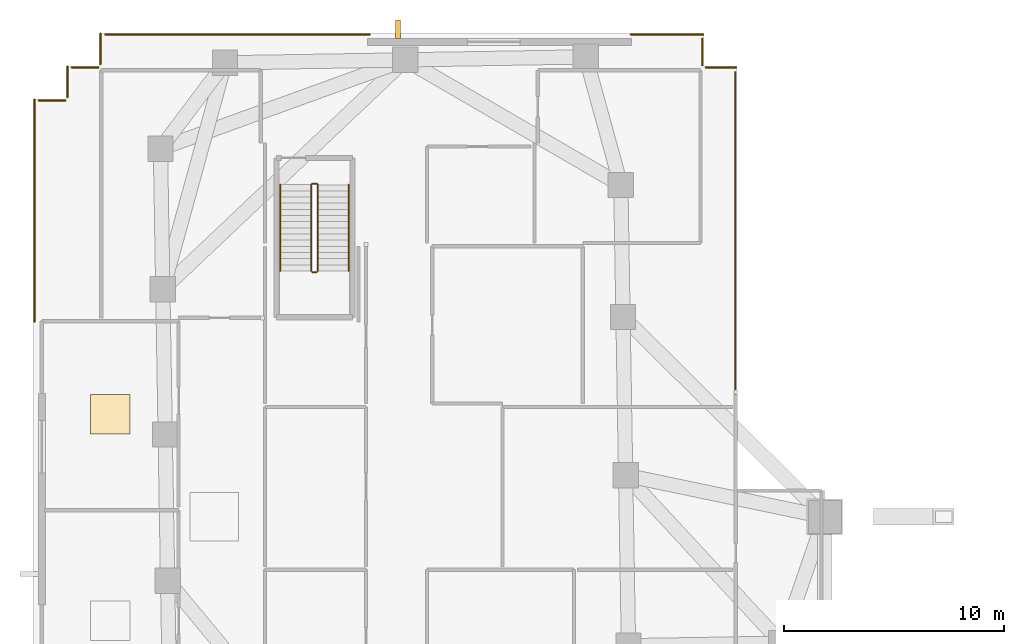
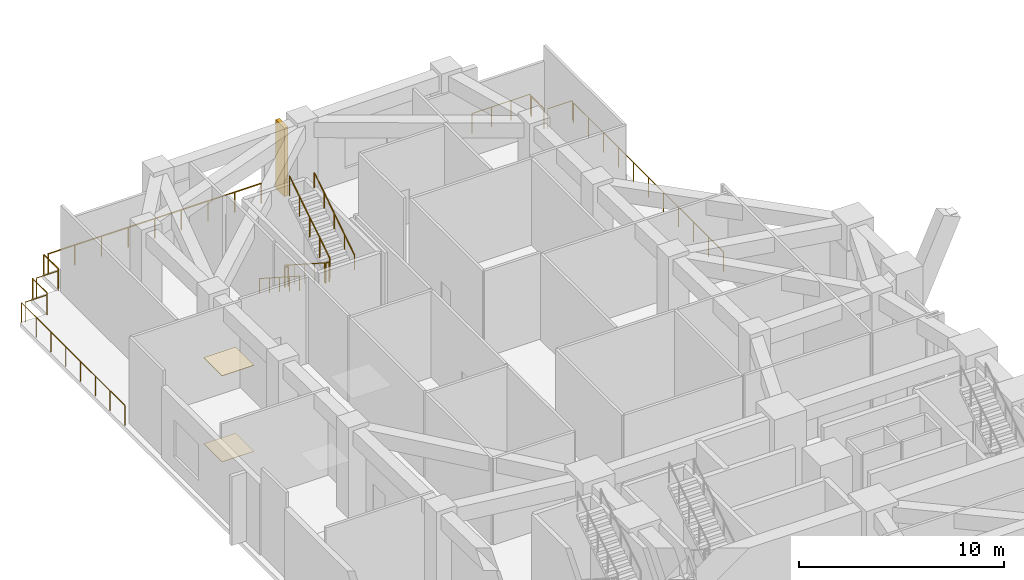
# One storey, part 17 of 18: 16 railings, 2 coverings, 1 shading device.
"""IFC4 building model written with IfcOpenShell, lengths in metres."""

import ifcopenshell
import ifcopenshell.guid

model = None  # the IFC model being written
_history = None  # IfcOwnerHistory: only IFC2X3 demands one
_inside = {}  # id of a spatial element -> (the spatial element, [elements in it])
_under = {}  # id of a project, library or spatial element -> (it, [spatial elements below it])
_declared = {}  # id of a project -> (the project, [libraries it declares])
_typed = {}  # id of a type object -> (the type object, [elements of that type])
_made_of = {}  # id of a material, layer set ... -> (it, [elements and type objects made of it])


def new_model(schema):
    """Start an empty IFC model of exactly this schema.

    Asked for "IFC4X3", IfcOpenShell would pick the latest addendum, in which some entities
    have other attributes; the version numbers below select the first issue.
    IFC2X3 requires an IfcOwnerHistory on every rooted entity: one is made here for all.
    """
    global model, _history
    if schema == "IFC4X3":
        model = ifcopenshell.file(schema_version=(4, 3, 0, 0))
    else:
        model = ifcopenshell.file(schema=schema)
    _inside.clear()
    _under.clear()
    _declared.clear()
    _typed.clear()
    _made_of.clear()
    _history = None
    if model.schema == "IFC2X3":
        org = make("IfcOrganization", Name="unknown")
        user = make(
            "IfcPersonAndOrganization",
            ThePerson=make("IfcPerson", FamilyName="unknown"),
            TheOrganization=org,
        )
        app = make(
            "IfcApplication",
            ApplicationDeveloper=org,
            Version="unknown",
            ApplicationFullName="unknown",
            ApplicationIdentifier="unknown",
        )
        _history = make(
            "IfcOwnerHistory",
            OwningUser=user,
            OwningApplication=app,
            ChangeAction="ADDED",
            CreationDate=0,
        )
    return model


def make(cls, **values):
    """One entity of the class cls with the attributes given. An attribute that is None is left unset."""
    return model.create_entity(
        cls, **{name: value for name, value in values.items() if value is not None}
    )


def rooted(cls, **values):
    """An entity with a GlobalId (a new one), such as an element, a storey or a relation."""
    return make(cls, GlobalId=ifcopenshell.guid.new(), OwnerHistory=_history, **values)


def si_unit(unit_type, name, prefix=None):
    """IfcSIUnit, for example si_unit("LENGTHUNIT", "METRE", prefix="MILLI")."""
    return make("IfcSIUnit", UnitType=unit_type, Prefix=prefix, Name=name)


def assignment(units):
    """IfcUnitAssignment: the units of a project."""
    return None if units is None else make("IfcUnitAssignment", Units=units)


def point(xyz):
    """IfcCartesianPoint."""
    return None if xyz is None else make("IfcCartesianPoint", Coordinates=xyz)


def direction(xyz):
    """IfcDirection."""
    return None if xyz is None else make("IfcDirection", DirectionRatios=xyz)


def frame(location, z_axis=None, x_axis=None):
    """IfcAxis2Placement3D, a coordinate frame: its origin and axes. An axis left out is left unset."""
    return make(
        "IfcAxis2Placement3D",
        Location=point(location),
        Axis=direction(z_axis),
        RefDirection=direction(x_axis),
    )


def frame_2d(location, x_axis=None):
    """IfcAxis2Placement2D, a coordinate frame in the plane: its origin and x axis."""
    return make(
        "IfcAxis2Placement2D", Location=point(location), RefDirection=direction(x_axis)
    )


def origin():
    """The frame at (0, 0, 0) with its axes left unset."""
    return frame((0.0, 0.0, 0.0))


def origin_2d():
    """The frame at (0, 0) in the plane with its x axis left unset."""
    return frame_2d((0.0, 0.0))


def place(relative_to, where):
    """IfcLocalPlacement: puts the frame where relative to a parent placement (None: the world)."""
    return make(
        "IfcLocalPlacement", PlacementRelTo=relative_to, RelativePlacement=where
    )


def context(
    kind, dimensions, precision=None, world=None, true_north=None, identifier=None
):
    """IfcGeometricRepresentationContext, for example the 3D "Model" context."""
    return make(
        "IfcGeometricRepresentationContext",
        ContextIdentifier=identifier,
        ContextType=kind,
        CoordinateSpaceDimension=dimensions,
        Precision=precision,
        WorldCoordinateSystem=world,
        TrueNorth=true_north,
    )


def subcontext(parent, identifier, kind, view, scale=None):
    """IfcGeometricRepresentationSubContext, for example "Body" below "Model"."""
    return make(
        "IfcGeometricRepresentationSubContext",
        ContextIdentifier=identifier,
        ContextType=kind,
        ParentContext=parent,
        TargetScale=scale,
        TargetView=view,
    )


def project(units=None, contexts=None):
    """IfcProject with its units and contexts."""
    return rooted(
        "IfcProject",
        Name="project",
        RepresentationContexts=contexts,
        UnitsInContext=assignment(units),
    )


def spatial(cls, under=None, at=None, **own):
    """A site, building, storey or space (cls), placed at a placement, below another one or the project."""
    s = rooted(cls, ObjectPlacement=at, **own)
    if under is not None:
        _under.setdefault(under.id(), (under, []))[1].append(s)
    return s


def profile(cls, at=None, kind="AREA", **sizes):
    """A parametric profile (cls). Its sizes go by their IFC names, for example OverallWidth=200.0."""
    return make(cls, ProfileType=kind, Position=at, **sizes)


def rectangle(**sizes):
    """IfcRectangleProfileDef."""
    return profile("IfcRectangleProfileDef", **sizes)


def circle(**sizes):
    """IfcCircleProfileDef."""
    return profile("IfcCircleProfileDef", **sizes)


def extrude(swept, where, along, depth):
    """IfcExtrudedAreaSolid: the profile swept, set in the frame where, extruded along a direction by depth."""
    return make(
        "IfcExtrudedAreaSolid",
        SweptArea=swept,
        Position=where,
        ExtrudedDirection=direction(along),
        Depth=depth,
    )


def shape(context_of_items, identifier, shape_type, items):
    """IfcShapeRepresentation: the items that make up one representation, for example the "Body"."""
    return make(
        "IfcShapeRepresentation",
        ContextOfItems=context_of_items,
        RepresentationIdentifier=identifier,
        RepresentationType=shape_type,
        Items=items,
    )


def material(Name=None, Category=None):
    """IfcMaterial."""
    return make("IfcMaterial", Name=Name, Category=Category)


def layer(
    of_material, thickness, ventilated=None, Name=None, Category=None, Priority=None
):
    """IfcMaterialLayer: one layer of a wall or slab, of a material (None: an air gap)."""
    return make(
        "IfcMaterialLayer",
        Material=of_material,
        LayerThickness=thickness,
        IsVentilated=ventilated,
        Name=Name,
        Category=Category,
        Priority=Priority,
    )


def layer_set(layers, Name=None):
    """IfcMaterialLayerSet."""
    return make("IfcMaterialLayerSet", MaterialLayers=layers, LayerSetName=Name)


def made_of(thing, what):
    """Note that an element or type object is made of a material, layer set ...; save() writes the relation."""
    if what is not None:
        _made_of.setdefault(what.id(), (what, []))[1].append(thing)
    return thing


def type_object(cls, material=None, **own):
    """A type object (cls), such as IfcWallType, which elements share."""
    return made_of(rooted(cls, **own), material)


def element(
    cls,
    number,
    at=None,
    inside=None,
    cuts=None,
    type_object=None,
    material=None,
    context=None,
    identifier="Body",
    shape_type=None,
    held_by="IfcProductDefinitionShape",
    body=None,
    shapes=None,
    **own,
):
    """One element of the class cls, such as IfcWall. Its Tag is "e" and its number.

    at: its placement. inside: the storey or other place that contains it. cuts: it is an
    opening in that element (IfcRelVoidsElement). A single representation is given by context,
    identifier, shape_type and body (its items); several are given by shapes. held_by: the class
    of the entity that holds the representations. save() writes the other relations.
    """
    e = rooted(cls, Tag="e%d" % number, ObjectPlacement=at, **own)
    if body is not None:
        shapes = [shape(context, identifier, shape_type, body)]
    if shapes is not None:
        e.Representation = make(held_by, Representations=shapes)
    if inside is not None:
        _inside.setdefault(inside.id(), (inside, []))[1].append(e)
    if cuts is not None:
        rooted(
            "IfcRelVoidsElement", RelatingBuildingElement=cuts, RelatedOpeningElement=e
        )
    if type_object is not None:
        _typed.setdefault(type_object.id(), (type_object, []))[1].append(e)
    return made_of(e, material)


def aggregate(whole, parts):
    """IfcRelAggregates: a whole, such as a stair, and the parts it consists of."""
    return rooted("IfcRelAggregates", RelatingObject=whole, RelatedObjects=parts)


def save(model, path):
    """Write the relations noted so far, then the file.

    IfcRelAggregates (storeys below a building ...), IfcRelContainedInSpatialStructure (elements
    in a storey), IfcRelDefinesByType, IfcRelAssociatesMaterial and IfcRelDeclares: one each for
    every whole, place, type object, material and project.
    """
    for whole, parts in _under.values():
        aggregate(whole, parts)
    for where, things in _inside.values():
        rooted(
            "IfcRelContainedInSpatialStructure",
            RelatedElements=things,
            RelatingStructure=where,
        )
    for kind, things in _typed.values():
        rooted("IfcRelDefinesByType", RelatedObjects=things, RelatingType=kind)
    for what, things in _made_of.values():
        rooted("IfcRelAssociatesMaterial", RelatedObjects=things, RelatingMaterial=what)
    for by, libraries in _declared.values():
        rooted("IfcRelDeclares", RelatingContext=by, RelatedDefinitions=libraries)
    model.write(path)


model = new_model("IFC4")

# Units and contexts
model_context = context("Model", 3, precision=1e-05, world=origin(), true_north=direction((0.0, 1.0)))
body_context = subcontext(model_context, "Body", "Model", "MODEL_VIEW")
ifc_project = project(units=[si_unit("LENGTHUNIT", "METRE"), si_unit("AREAUNIT", "SQUARE_METRE"), si_unit("VOLUMEUNIT", "CUBIC_METRE"), si_unit("PLANEANGLEUNIT", "RADIAN"), si_unit("MASSUNIT", "GRAM", prefix="KILO")], contexts=[model_context])

# Site, building, storey
site_placement = place(None, origin())
site = spatial("IfcSite", under=ifc_project, at=site_placement, CompositionType="ELEMENT")
building_placement = place(site_placement, origin())
building = spatial("IfcBuilding", under=site, at=building_placement, Name="Gaonmaruhae Medical Tower", CompositionType="ELEMENT")
storey_placement = place(building_placement, frame((0.0, 0.0, 16.199951171875)))
storey = spatial("IfcBuildingStorey", under=building, at=storey_placement, Name="L03", CompositionType="ELEMENT", Elevation=16.199951171875)

# Coverings
ifc_material_1 = material(Name="Acoustic mineral ceiling tile", Category="finish")
ifc_layer_1 = layer(ifc_material_1, 0.02490234375)
ifc_layer_set_1 = layer_set([ifc_layer_1], Name="Acoustic mineral ceiling tile")
covering_type_1 = type_object("IfcCoveringType", Name="CLG-01 Antimicrobial Acoustic Mineral Ceiling", PredefinedType="CEILING", material=ifc_layer_set_1)
covering_1_placement = place(storey_placement, frame((3.510009765625, 33.875, 5.125), z_axis=(0.0, 0.0, 1.0), x_axis=(1.0, 0.0, 0.0)))
element("IfcCovering", 1, at=covering_1_placement, inside=storey, type_object=covering_type_1, Name="L03 Clinical Room Acoustic Ceiling 4", PredefinedType="CEILING", context=body_context, shape_type="SweptSolid", body=[
    extrude(rectangle(XDim=1.800048828125, YDim=1.800048828125, at=origin_2d()), origin(), (0.0, 0.0, 1.0), 0.02490234375),
])
ifc_material_2 = material(Name="Seamless clinical vinyl flooring", Category="finish")
ifc_layer_2 = layer(ifc_material_2, 0.014892578125)
ifc_layer_set_2 = layer_set([ifc_layer_2], Name="Seamless clinical vinyl flooring")
covering_type_2 = type_object("IfcCoveringType", Name="FLR-01 Seamless Clinical Antistatic Vinyl Flooring", PredefinedType="FLOORING", material=ifc_layer_set_2)
covering_2_placement = place(storey_placement, frame((3.510009765625, 33.875, 0.0), z_axis=(0.0, 0.0, 1.0), x_axis=(1.0, 0.0, 0.0)))
element("IfcCovering", 2, at=covering_2_placement, inside=storey, type_object=covering_type_2, Name="L03 Clinical Room Vinyl Flooring 4", PredefinedType="FLOORING", context=body_context, shape_type="SweptSolid", body=[
    extrude(rectangle(XDim=1.800048828125, YDim=1.800048828125, at=origin_2d()), origin(), (0.0, 0.0, 1.0), 0.014892578125),
])

# Railings
ifc_material_3 = material(Name="Stainless steel 316L and laminated safety glass", Category="steel")
ifc_layer_3 = layer(ifc_material_3, 0.080078125)
ifc_layer_set_3 = layer_set([ifc_layer_3], Name="Stainless steel 316L and laminated safety glass")
railing_type_1 = type_object("IfcRailingType", Name="GD-120 Outdoor Terrace Safety Glass & Steel Balustrade", PredefinedType="BALUSTRADE", material=ifc_layer_set_3)
railing_1_placement = place(storey_placement, frame((0.070068359375, 38.07568359375, 0.0)))
element("IfcRailing", 3, at=railing_1_placement, inside=storey, type_object=railing_type_1, Name="L03 Perimeter Slab Edge Safety Balustrade 03", PredefinedType="BALUSTRADE", context=body_context, shape_type="SweptSolid", body=[
    extrude(circle(Radius=0.02392578125, at=origin_2d()), frame((0.0, 0.0, 1.17578125), z_axis=(0.0, 1.0, 0.0), x_axis=(-1.0, 0.0, 0.0)), (0.0, 0.0, 1.0), 10.104248046875),
    extrude(circle(Radius=0.02099609375, at=origin_2d()), origin(), (0.0, 0.0, 1.0), 1.15185546875),
    extrude(circle(Radius=0.02099609375, at=origin_2d()), frame((0.0, 1.443359375, 0.0)), (0.0, 0.0, 1.0), 1.15185546875),
    extrude(circle(Radius=0.02099609375, at=origin_2d()), frame((0.0, 2.886962890625, 0.0)), (0.0, 0.0, 1.0), 1.15185546875),
    extrude(circle(Radius=0.02099609375, at=origin_2d()), frame((0.0, 4.330322265625, 0.0)), (0.0, 0.0, 1.0), 1.15185546875),
    extrude(circle(Radius=0.02099609375, at=origin_2d()), frame((0.0, 5.77392578125, 0.0)), (0.0, 0.0, 1.0), 1.15185546875),
    extrude(circle(Radius=0.02099609375, at=origin_2d()), frame((0.0, 7.21728515625, 0.0)), (0.0, 0.0, 1.0), 1.15185546875),
    extrude(circle(Radius=0.02099609375, at=origin_2d()), frame((0.0, 8.660888671875, 0.0)), (0.0, 0.0, 1.0), 1.15185546875),
    extrude(circle(Radius=0.02099609375, at=origin_2d()), frame((0.0, 10.104248046875, 0.0)), (0.0, 0.0, 1.0), 1.15185546875),
])
railing_2_placement = place(storey_placement, frame((0.25341796875, 48.1298828125, 0.0)))
element("IfcRailing", 4, at=railing_2_placement, inside=storey, type_object=railing_type_1, Name="L03 Perimeter Slab Edge Safety Balustrade 04", PredefinedType="BALUSTRADE", context=body_context, shape_type="SweptSolid", body=[
    extrude(circle(Radius=0.02392578125, at=origin_2d()), frame((0.0, 0.0, 1.17578125), z_axis=(1.0, 0.0, 0.0), x_axis=(0.0, 1.0, 0.0)), (0.0, 0.0, 1.0), 1.2265625),
    extrude(circle(Radius=0.02099609375, at=origin_2d()), origin(), (0.0, 0.0, 1.0), 1.15185546875),
    extrude(circle(Radius=0.02099609375, at=origin_2d()), frame((1.2265625, 0.0, 0.0)), (0.0, 0.0, 1.0), 1.15185546875),
])
railing_3_placement = place(storey_placement, frame((1.570068359375, 48.28662109375, 0.0)))
element("IfcRailing", 5, at=railing_3_placement, inside=storey, type_object=railing_type_1, Name="L03 Perimeter Slab Edge Safety Balustrade 05", PredefinedType="BALUSTRADE", context=body_context, shape_type="SweptSolid", body=[
    extrude(circle(Radius=0.02392578125, at=origin_2d()), frame((0.0, 0.0, 1.17578125), z_axis=(0.0, 1.0, 0.0), x_axis=(-1.0, 0.0, 0.0)), (0.0, 0.0, 1.0), 1.393310546875),
    extrude(circle(Radius=0.02099609375, at=origin_2d()), origin(), (0.0, 0.0, 1.0), 1.15185546875),
    extrude(circle(Radius=0.02099609375, at=origin_2d()), frame((0.0, 1.393310546875, 0.0)), (0.0, 0.0, 1.0), 1.15185546875),
])
railing_4_placement = place(storey_placement, frame((1.75341796875, 49.6298828125, 0.0)))
element("IfcRailing", 6, at=railing_4_placement, inside=storey, type_object=railing_type_1, Name="L03 Perimeter Slab Edge Safety Balustrade 06", PredefinedType="BALUSTRADE", context=body_context, shape_type="SweptSolid", body=[
    extrude(circle(Radius=0.02392578125, at=origin_2d()), frame((0.0, 0.0, 1.17578125), z_axis=(1.0, 0.0, 0.0), x_axis=(0.0, 1.0, 0.0)), (0.0, 0.0, 1.0), 1.2265625),
    extrude(circle(Radius=0.02099609375, at=origin_2d()), origin(), (0.0, 0.0, 1.0), 1.15185546875),
    extrude(circle(Radius=0.02099609375, at=origin_2d()), frame((1.2265625, 0.0, 0.0)), (0.0, 0.0, 1.0), 1.15185546875),
])
railing_5_placement = place(storey_placement, frame((3.070068359375, 49.78662109375, 0.0)))
element("IfcRailing", 7, at=railing_5_placement, inside=storey, type_object=railing_type_1, Name="L03 Perimeter Slab Edge Safety Balustrade 07", PredefinedType="BALUSTRADE", context=body_context, shape_type="SweptSolid", body=[
    extrude(circle(Radius=0.02392578125, at=origin_2d()), frame((0.0, 0.0, 1.17578125), z_axis=(0.0, 1.0, 0.0), x_axis=(-1.0, 0.0, 0.0)), (0.0, 0.0, 1.0), 1.393310546875),
    extrude(circle(Radius=0.02099609375, at=origin_2d()), origin(), (0.0, 0.0, 1.0), 1.15185546875),
    extrude(circle(Radius=0.02099609375, at=origin_2d()), frame((0.0, 1.393310546875, 0.0)), (0.0, 0.0, 1.0), 1.15185546875),
])
railing_6_placement = place(storey_placement, frame((3.279541015625, 51.1298828125, 0.0)))
element("IfcRailing", 8, at=railing_6_placement, inside=storey, type_object=railing_type_1, Name="L03 Perimeter Slab Edge Safety Balustrade 08", PredefinedType="BALUSTRADE", context=body_context, shape_type="SweptSolid", body=[
    extrude(circle(Radius=0.02392578125, at=origin_2d()), frame((0.0, 0.0, 1.17578125), z_axis=(1.0, 0.0, 0.0), x_axis=(0.0, 1.0, 0.0)), (0.0, 0.0, 1.0), 12.022705078125),
    extrude(circle(Radius=0.02099609375, at=origin_2d()), origin(), (0.0, 0.0, 1.0), 1.15185546875),
    extrude(circle(Radius=0.02099609375, at=origin_2d()), frame((1.5029296875, 0.0, 0.0)), (0.0, 0.0, 1.0), 1.15185546875),
    extrude(circle(Radius=0.02099609375, at=origin_2d()), frame((3.005615234375, 0.0, 0.0)), (0.0, 0.0, 1.0), 1.15185546875),
    extrude(circle(Radius=0.02099609375, at=origin_2d()), frame((4.508544921875, 0.0, 0.0)), (0.0, 0.0, 1.0), 1.15185546875),
    extrude(circle(Radius=0.02099609375, at=origin_2d()), frame((6.01123046875, 0.0, 0.0)), (0.0, 0.0, 1.0), 1.15185546875),
    extrude(circle(Radius=0.02099609375, at=origin_2d()), frame((7.51416015625, 0.0, 0.0)), (0.0, 0.0, 1.0), 1.15185546875),
    extrude(circle(Radius=0.02099609375, at=origin_2d()), frame((9.01708984375, 0.0, 0.0)), (0.0, 0.0, 1.0), 1.15185546875),
    extrude(circle(Radius=0.02099609375, at=origin_2d()), frame((10.519775390625, 0.0, 0.0)), (0.0, 0.0, 1.0), 1.15185546875),
    extrude(circle(Radius=0.02099609375, at=origin_2d()), frame((12.022705078125, 0.0, 0.0)), (0.0, 0.0, 1.0), 1.15185546875),
])
railing_7_placement = place(storey_placement, frame((27.184814453125, 51.1298828125, 0.0)))
element("IfcRailing", 9, at=railing_7_placement, inside=storey, type_object=railing_type_1, Name="L03 Perimeter Slab Edge Safety Balustrade 09", PredefinedType="BALUSTRADE", context=body_context, shape_type="SweptSolid", body=[
    extrude(circle(Radius=0.02392578125, at=origin_2d()), frame((0.0, 0.0, 1.17578125), z_axis=(1.0, 0.0, 0.0), x_axis=(0.0, 1.0, 0.0)), (0.0, 0.0, 1.0), 3.295166015625),
    extrude(circle(Radius=0.02099609375, at=origin_2d()), origin(), (0.0, 0.0, 1.0), 1.15185546875),
    extrude(circle(Radius=0.02099609375, at=origin_2d()), frame((1.098388671875, 0.0, 0.0)), (0.0, 0.0, 1.0), 1.15185546875),
    extrude(circle(Radius=0.02099609375, at=origin_2d()), frame((2.19677734375, 0.0, 0.0)), (0.0, 0.0, 1.0), 1.15185546875),
    extrude(circle(Radius=0.02099609375, at=origin_2d()), frame((3.295166015625, 0.0, 0.0)), (0.0, 0.0, 1.0), 1.15185546875),
])
railing_8_placement = place(storey_placement, frame((30.429931640625, 50.94677734375, 0.0)))
element("IfcRailing", 10, at=railing_8_placement, inside=storey, type_object=railing_type_1, Name="L03 Perimeter Slab Edge Safety Balustrade 10", PredefinedType="BALUSTRADE", context=body_context, shape_type="SweptSolid", body=[
    extrude(circle(Radius=0.02392578125, at=origin_2d()), frame((0.0, 0.0, 1.17578125), z_axis=(0.0, -1.0, 0.0), x_axis=(1.0, 0.0, 0.0)), (0.0, 0.0, 1.0), 1.226806640625),
    extrude(circle(Radius=0.02099609375, at=origin_2d()), origin(), (0.0, 0.0, 1.0), 1.15185546875),
    extrude(circle(Radius=0.02099609375, at=origin_2d()), frame((0.0, -1.226806640625, 0.0)), (0.0, 0.0, 1.0), 1.15185546875),
])
railing_9_placement = place(storey_placement, frame((30.586669921875, 49.6298828125, 0.0)))
element("IfcRailing", 11, at=railing_9_placement, inside=storey, type_object=railing_type_1, Name="L03 Perimeter Slab Edge Safety Balustrade 11", PredefinedType="BALUSTRADE", context=body_context, shape_type="SweptSolid", body=[
    extrude(circle(Radius=0.02392578125, at=origin_2d()), frame((0.0, 0.0, 1.17578125), z_axis=(1.0, 0.0, 0.0), x_axis=(0.0, 1.0, 0.0)), (0.0, 0.0, 1.0), 1.393310546875),
    extrude(circle(Radius=0.02099609375, at=origin_2d()), origin(), (0.0, 0.0, 1.0), 1.15185546875),
    extrude(circle(Radius=0.02099609375, at=origin_2d()), frame((1.393310546875, 0.0, 0.0)), (0.0, 0.0, 1.0), 1.15185546875),
])
railing_10_placement = place(storey_placement, frame((31.929931640625, 49.422607421875, 0.0)))
element("IfcRailing", 12, at=railing_10_placement, inside=storey, type_object=railing_type_1, Name="L03 Perimeter Slab Edge Safety Balustrade 12", PredefinedType="BALUSTRADE", context=body_context, shape_type="SweptSolid", body=[
    extrude(circle(Radius=0.02392578125, at=origin_2d()), frame((0.0, 0.0, 1.17578125), z_axis=(0.0, -1.0, 0.0), x_axis=(1.0, 0.0, 0.0)), (0.0, 0.0, 1.0), 14.635009765625),
    extrude(circle(Radius=0.02099609375, at=origin_2d()), origin(), (0.0, 0.0, 1.0), 1.15185546875),
    extrude(circle(Radius=0.02099609375, at=origin_2d()), frame((0.0, -1.46337890625, 0.0)), (0.0, 0.0, 1.0), 1.15185546875),
    extrude(circle(Radius=0.02099609375, at=origin_2d()), frame((0.0, -2.927001953125, 0.0)), (0.0, 0.0, 1.0), 1.15185546875),
    extrude(circle(Radius=0.02099609375, at=origin_2d()), frame((0.0, -4.390625, 0.0)), (0.0, 0.0, 1.0), 1.15185546875),
    extrude(circle(Radius=0.02099609375, at=origin_2d()), frame((0.0, -5.85400390625, 0.0)), (0.0, 0.0, 1.0), 1.15185546875),
    extrude(circle(Radius=0.02099609375, at=origin_2d()), frame((0.0, -7.3173828125, 0.0)), (0.0, 0.0, 1.0), 1.15185546875),
    extrude(circle(Radius=0.02099609375, at=origin_2d()), frame((0.0, -8.781005859375, 0.0)), (0.0, 0.0, 1.0), 1.15185546875),
    extrude(circle(Radius=0.02099609375, at=origin_2d()), frame((0.0, -10.24462890625, 0.0)), (0.0, 0.0, 1.0), 1.15185546875),
    extrude(circle(Radius=0.02099609375, at=origin_2d()), frame((0.0, -11.7080078125, 0.0)), (0.0, 0.0, 1.0), 1.15185546875),
    extrude(circle(Radius=0.02099609375, at=origin_2d()), frame((0.0, -13.17138671875, 0.0)), (0.0, 0.0, 1.0), 1.15185546875),
    extrude(circle(Radius=0.02099609375, at=origin_2d()), frame((0.0, -14.635009765625, 0.0)), (0.0, 0.0, 1.0), 1.15185546875),
])
ifc_material_4 = material(Name="Stainless steel 304 handrail", Category="steel")
railing_type_2 = type_object("IfcRailingType", Name="HR-092 Continuous Stainless Steel Stair Handrail", PredefinedType="HANDRAIL", material=ifc_material_4)
railing_11_placement = place(storey_placement, frame((11.25, 44.300048828125, 0.179931640625)))
element("IfcRailing", 13, at=railing_11_placement, inside=storey, type_object=railing_type_2, Name="L03 ST-05 stair handrail 1", PredefinedType="HANDRAIL", context=body_context, shape_type="SweptSolid", body=[
    extrude(circle(Radius=0.02392578125, at=origin_2d()), frame((0.0, 0.0, 0.8759765625), z_axis=(0.0, -0.841186985886, 0.540744352514), x_axis=(1.0, 0.0, 0.0)), (0.0, 0.0, 1.0), 4.660400390625),
    extrude(circle(Radius=0.02099609375, at=origin_2d()), origin(), (0.0, 0.0, 1.0), 0.851806640625),
    extrude(circle(Radius=0.02099609375, at=origin_2d()), frame((0.0, -0.97998046875, 0.6298828125)), (0.0, 0.0, 1.0), 0.851806640625),
    extrude(circle(Radius=0.02099609375, at=origin_2d()), frame((0.0, -1.9599609375, 1.260009765625)), (0.0, 0.0, 1.0), 0.851806640625),
    extrude(circle(Radius=0.02099609375, at=origin_2d()), frame((0.0, -2.940185546875, 1.89013671875)), (0.0, 0.0, 1.0), 0.851806640625),
    extrude(circle(Radius=0.02099609375, at=origin_2d()), frame((0.0, -3.920166015625, 2.52001953125)), (0.0, 0.0, 1.0), 0.851806640625),
])
railing_12_placement = place(storey_placement, frame((14.35009765625, 40.3798828125, 2.880126953125)))
element("IfcRailing", 14, at=railing_12_placement, inside=storey, type_object=railing_type_2, Name="L03 ST-05 stair handrail 2", PredefinedType="HANDRAIL", context=body_context, shape_type="SweptSolid", body=[
    extrude(circle(Radius=0.02392578125, at=origin_2d()), frame((0.0, 0.0, 0.8759765625), z_axis=(0.0, 0.841186985886, 0.540744352514), x_axis=(-1.0, 0.0, 0.0)), (0.0, 0.0, 1.0), 4.660400390625),
    extrude(circle(Radius=0.02099609375, at=origin_2d()), origin(), (0.0, 0.0, 1.0), 0.851806640625),
    extrude(circle(Radius=0.02099609375, at=origin_2d()), frame((0.0, 0.97998046875, 0.6298828125)), (0.0, 0.0, 1.0), 0.851806640625),
    extrude(circle(Radius=0.02099609375, at=origin_2d()), frame((0.0, 1.9599609375, 1.260009765625)), (0.0, 0.0, 1.0), 0.851806640625),
    extrude(circle(Radius=0.02099609375, at=origin_2d()), frame((0.0, 2.940185546875, 1.89013671875)), (0.0, 0.0, 1.0), 0.851806640625),
    extrude(circle(Radius=0.02099609375, at=origin_2d()), frame((0.0, 3.920166015625, 2.52001953125)), (0.0, 0.0, 1.0), 0.851806640625),
])

# Shading device
ifc_material_5 = material(Name="Pigmented coral precast concrete C45/55", Category="concrete")
shading_device_type = type_object("IfcShadingDeviceType", Name="SD-FIN2 Podium Vertical Coral Precast Shading Fin", PredefinedType="USERDEFINED", material=ifc_material_5)
shading_device_placement = place(storey_placement, frame((16.60009765625, 51.364990234375, 0.06494140625), z_axis=(0.0, 0.0, 1.0), x_axis=(1.0, 0.0, 0.0)))
element("IfcShadingDevice", 15, at=shading_device_placement, inside=storey, type_object=shading_device_type, Name="L03 Podium Coral Precast Shading Fin PB-N2", ObjectType="FIN", PredefinedType="USERDEFINED", context=body_context, shape_type="SweptSolid", body=[
    extrude(rectangle(XDim=0.219970703125, YDim=0.85009765625, at=origin_2d()), origin(), (0.0, 0.0, 1.0), 4.10009765625),
])

# Railings
ifc_material_6 = material(Name="Stainless steel 304 balustrade", Category="steel")
railing_type_3 = type_object("IfcRailingType", Name="SG-112 Stair Well & Ramp Void Safety Balustrade", PredefinedType="BALUSTRADE", material=ifc_material_6)
railing_13_placement = place(storey_placement, frame((12.64990234375, 44.300048828125, 0.179931640625)))
element("IfcRailing", 16, at=railing_13_placement, inside=storey, type_object=railing_type_3, Name="L03 ST-05 stair guard 1", PredefinedType="BALUSTRADE", context=body_context, shape_type="SweptSolid", body=[
    extrude(circle(Radius=0.02392578125, at=origin_2d()), frame((0.0, 0.0, 1.17578125), z_axis=(0.0, -0.841186985886, 0.540744352514), x_axis=(1.0, 0.0, 0.0)), (0.0, 0.0, 1.0), 4.660400390625),
    extrude(circle(Radius=0.02099609375, at=origin_2d()), origin(), (0.0, 0.0, 1.0), 1.15185546875),
    extrude(circle(Radius=0.02099609375, at=origin_2d()), frame((0.0, -0.97998046875, 0.6298828125)), (0.0, 0.0, 1.0), 1.15185546875),
    extrude(circle(Radius=0.02099609375, at=origin_2d()), frame((0.0, -1.9599609375, 1.260009765625)), (0.0, 0.0, 1.0), 1.15185546875),
    extrude(circle(Radius=0.02099609375, at=origin_2d()), frame((0.0, -2.940185546875, 1.89013671875)), (0.0, 0.0, 1.0), 1.15185546875),
    extrude(circle(Radius=0.02099609375, at=origin_2d()), frame((0.0, -3.920166015625, 2.52001953125)), (0.0, 0.0, 1.0), 1.15185546875),
])
railing_14_placement = place(storey_placement, frame((12.699951171875, 40.330078125, 2.699951171875)))
element("IfcRailing", 17, at=railing_14_placement, inside=storey, type_object=railing_type_3, Name="L03 ST-05 stair guard 2", PredefinedType="BALUSTRADE", context=body_context, shape_type="SweptSolid", body=[
    extrude(circle(Radius=0.02392578125, at=origin_2d()), frame((0.0, 0.0, 1.17578125), z_axis=(1.0, 0.0, 0.0), x_axis=(0.0, 1.0, 0.0)), (0.0, 0.0, 1.0), 0.199951171875),
    extrude(circle(Radius=0.02099609375, at=origin_2d()), origin(), (0.0, 0.0, 1.0), 1.15185546875),
    extrude(circle(Radius=0.02099609375, at=origin_2d()), frame((0.199951171875, 0.0, 0.0)), (0.0, 0.0, 1.0), 1.15185546875),
])
railing_15_placement = place(storey_placement, frame((12.949951171875, 40.3798828125, 2.880126953125)))
element("IfcRailing", 18, at=railing_15_placement, inside=storey, type_object=railing_type_3, Name="L03 ST-05 stair guard 3", PredefinedType="BALUSTRADE", context=body_context, shape_type="SweptSolid", body=[
    extrude(circle(Radius=0.02392578125, at=origin_2d()), frame((0.0, 0.0, 1.17578125), z_axis=(0.0, 0.841186985886, 0.540744352514), x_axis=(-1.0, 0.0, 0.0)), (0.0, 0.0, 1.0), 4.660400390625),
    extrude(circle(Radius=0.02099609375, at=origin_2d()), origin(), (0.0, 0.0, 1.0), 1.15185546875),
    extrude(circle(Radius=0.02099609375, at=origin_2d()), frame((0.0, 0.97998046875, 0.6298828125)), (0.0, 0.0, 1.0), 1.15185546875),
    extrude(circle(Radius=0.02099609375, at=origin_2d()), frame((0.0, 1.9599609375, 1.260009765625)), (0.0, 0.0, 1.0), 1.15185546875),
    extrude(circle(Radius=0.02099609375, at=origin_2d()), frame((0.0, 2.940185546875, 1.89013671875)), (0.0, 0.0, 1.0), 1.15185546875),
    extrude(circle(Radius=0.02099609375, at=origin_2d()), frame((0.0, 3.920166015625, 2.52001953125)), (0.0, 0.0, 1.0), 1.15185546875),
])
railing_16_placement = place(storey_placement, frame((12.699951171875, 44.35009765625, 0.0)))
element("IfcRailing", 19, at=railing_16_placement, inside=storey, type_object=railing_type_3, Name="L03 ST-05 stair guard 4", PredefinedType="BALUSTRADE", context=body_context, shape_type="SweptSolid", body=[
    extrude(circle(Radius=0.02392578125, at=origin_2d()), frame((0.0, 0.0, 1.17578125), z_axis=(1.0, 0.0, 0.0), x_axis=(0.0, 1.0, 0.0)), (0.0, 0.0, 1.0), 0.199951171875),
    extrude(circle(Radius=0.02099609375, at=origin_2d()), origin(), (0.0, 0.0, 1.0), 1.15185546875),
    extrude(circle(Radius=0.02099609375, at=origin_2d()), frame((0.199951171875, 0.0, 0.0)), (0.0, 0.0, 1.0), 1.15185546875),
])

save(model, "model.ifc")
